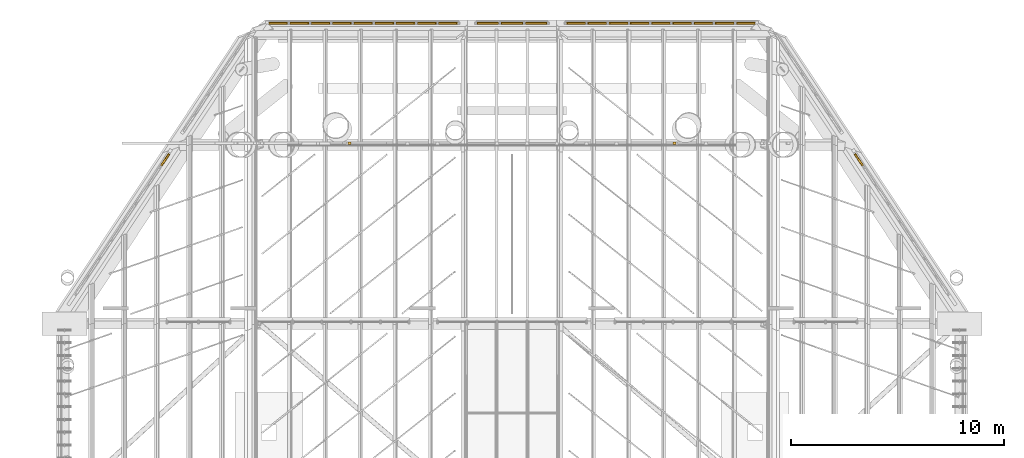
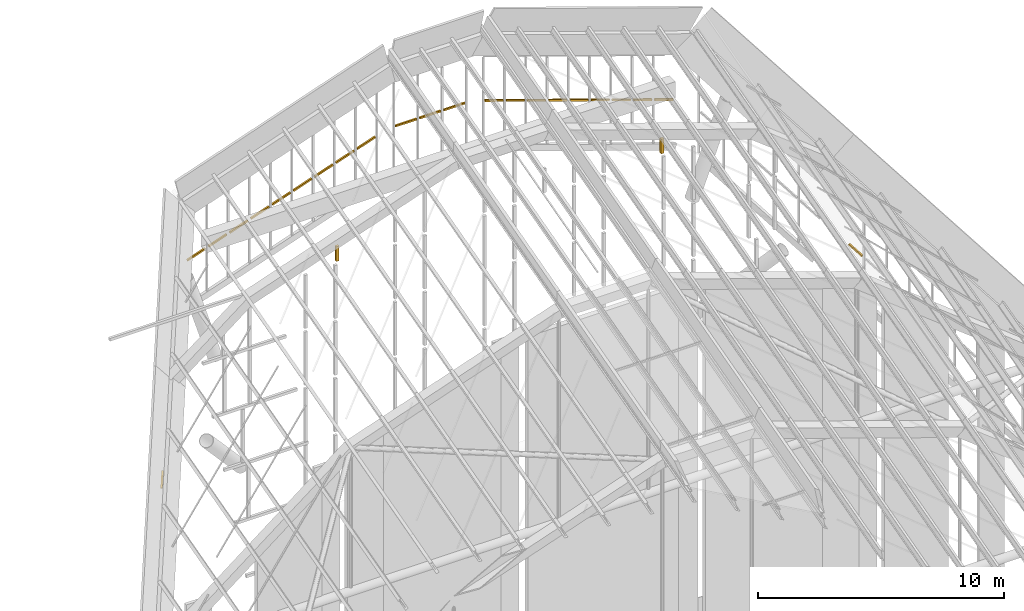
# One storey, part 123 of 126: 25 coverings.
"""IFC4 building model written with IfcOpenShell, lengths in metres."""

import ifcopenshell
import ifcopenshell.guid

model = None  # the IFC model being written
_history = None  # IfcOwnerHistory: only IFC2X3 demands one
_inside = {}  # id of a spatial element -> (the spatial element, [elements in it])
_under = {}  # id of a project, library or spatial element -> (it, [spatial elements below it])
_declared = {}  # id of a project -> (the project, [libraries it declares])
_typed = {}  # id of a type object -> (the type object, [elements of that type])
_made_of = {}  # id of a material, layer set ... -> (it, [elements and type objects made of it])


def new_model(schema):
    """Start an empty IFC model of exactly this schema.

    Asked for "IFC4X3", IfcOpenShell would pick the latest addendum, in which some entities
    have other attributes; the version numbers below select the first issue.
    IFC2X3 requires an IfcOwnerHistory on every rooted entity: one is made here for all.
    """
    global model, _history
    if schema == "IFC4X3":
        model = ifcopenshell.file(schema_version=(4, 3, 0, 0))
    else:
        model = ifcopenshell.file(schema=schema)
    _inside.clear()
    _under.clear()
    _declared.clear()
    _typed.clear()
    _made_of.clear()
    _history = None
    if model.schema == "IFC2X3":
        org = make("IfcOrganization", Name="unknown")
        user = make(
            "IfcPersonAndOrganization",
            ThePerson=make("IfcPerson", FamilyName="unknown"),
            TheOrganization=org,
        )
        app = make(
            "IfcApplication",
            ApplicationDeveloper=org,
            Version="unknown",
            ApplicationFullName="unknown",
            ApplicationIdentifier="unknown",
        )
        _history = make(
            "IfcOwnerHistory",
            OwningUser=user,
            OwningApplication=app,
            ChangeAction="ADDED",
            CreationDate=0,
        )
    return model


def make(cls, **values):
    """One entity of the class cls with the attributes given. An attribute that is None is left unset."""
    return model.create_entity(
        cls, **{name: value for name, value in values.items() if value is not None}
    )


def rooted(cls, **values):
    """An entity with a GlobalId (a new one), such as an element, a storey or a relation."""
    return make(cls, GlobalId=ifcopenshell.guid.new(), OwnerHistory=_history, **values)


def si_unit(unit_type, name, prefix=None):
    """IfcSIUnit, for example si_unit("LENGTHUNIT", "METRE", prefix="MILLI")."""
    return make("IfcSIUnit", UnitType=unit_type, Prefix=prefix, Name=name)


def assignment(units):
    """IfcUnitAssignment: the units of a project."""
    return None if units is None else make("IfcUnitAssignment", Units=units)


def point(xyz):
    """IfcCartesianPoint."""
    return None if xyz is None else make("IfcCartesianPoint", Coordinates=xyz)


def direction(xyz):
    """IfcDirection."""
    return None if xyz is None else make("IfcDirection", DirectionRatios=xyz)


def frame(location, z_axis=None, x_axis=None):
    """IfcAxis2Placement3D, a coordinate frame: its origin and axes. An axis left out is left unset."""
    return make(
        "IfcAxis2Placement3D",
        Location=point(location),
        Axis=direction(z_axis),
        RefDirection=direction(x_axis),
    )


def frame_2d(location, x_axis=None):
    """IfcAxis2Placement2D, a coordinate frame in the plane: its origin and x axis."""
    return make(
        "IfcAxis2Placement2D", Location=point(location), RefDirection=direction(x_axis)
    )


def origin():
    """The frame at (0, 0, 0) with its axes left unset."""
    return frame((0.0, 0.0, 0.0))


def origin_2d():
    """The frame at (0, 0) in the plane with its x axis left unset."""
    return frame_2d((0.0, 0.0))


def place(relative_to, where):
    """IfcLocalPlacement: puts the frame where relative to a parent placement (None: the world)."""
    return make(
        "IfcLocalPlacement", PlacementRelTo=relative_to, RelativePlacement=where
    )


def context(
    kind, dimensions, precision=None, world=None, true_north=None, identifier=None
):
    """IfcGeometricRepresentationContext, for example the 3D "Model" context."""
    return make(
        "IfcGeometricRepresentationContext",
        ContextIdentifier=identifier,
        ContextType=kind,
        CoordinateSpaceDimension=dimensions,
        Precision=precision,
        WorldCoordinateSystem=world,
        TrueNorth=true_north,
    )


def subcontext(parent, identifier, kind, view, scale=None):
    """IfcGeometricRepresentationSubContext, for example "Body" below "Model"."""
    return make(
        "IfcGeometricRepresentationSubContext",
        ContextIdentifier=identifier,
        ContextType=kind,
        ParentContext=parent,
        TargetScale=scale,
        TargetView=view,
    )


def project(units=None, contexts=None):
    """IfcProject with its units and contexts."""
    return rooted(
        "IfcProject",
        Name="project",
        RepresentationContexts=contexts,
        UnitsInContext=assignment(units),
    )


def spatial(cls, under=None, at=None, **own):
    """A site, building, storey or space (cls), placed at a placement, below another one or the project."""
    s = rooted(cls, ObjectPlacement=at, **own)
    if under is not None:
        _under.setdefault(under.id(), (under, []))[1].append(s)
    return s


def profile(cls, at=None, kind="AREA", **sizes):
    """A parametric profile (cls). Its sizes go by their IFC names, for example OverallWidth=200.0."""
    return make(cls, ProfileType=kind, Position=at, **sizes)


def rectangle(**sizes):
    """IfcRectangleProfileDef."""
    return profile("IfcRectangleProfileDef", **sizes)


def extrude(swept, where, along, depth):
    """IfcExtrudedAreaSolid: the profile swept, set in the frame where, extruded along a direction by depth."""
    return make(
        "IfcExtrudedAreaSolid",
        SweptArea=swept,
        Position=where,
        ExtrudedDirection=direction(along),
        Depth=depth,
    )


def shape(context_of_items, identifier, shape_type, items):
    """IfcShapeRepresentation: the items that make up one representation, for example the "Body"."""
    return make(
        "IfcShapeRepresentation",
        ContextOfItems=context_of_items,
        RepresentationIdentifier=identifier,
        RepresentationType=shape_type,
        Items=items,
    )


def material(Name=None, Category=None):
    """IfcMaterial."""
    return make("IfcMaterial", Name=Name, Category=Category)


def material_profile(
    of_material, cross_section, Name=None, Category=None, Priority=None
):
    """IfcMaterialProfile: a cross section and its material."""
    return make(
        "IfcMaterialProfile",
        Name=Name,
        Material=of_material,
        Profile=cross_section,
        Priority=Priority,
        Category=Category,
    )


def profile_set(profiles, Name=None, composite=None):
    """IfcMaterialProfileSet."""
    return make(
        "IfcMaterialProfileSet",
        Name=Name,
        MaterialProfiles=profiles,
        CompositeProfile=composite,
    )


def made_of(thing, what):
    """Note that an element or type object is made of a material, layer set ...; save() writes the relation."""
    if what is not None:
        _made_of.setdefault(what.id(), (what, []))[1].append(thing)
    return thing


def type_object(cls, material=None, **own):
    """A type object (cls), such as IfcWallType, which elements share."""
    return made_of(rooted(cls, **own), material)


def element(
    cls,
    number,
    at=None,
    inside=None,
    cuts=None,
    type_object=None,
    material=None,
    context=None,
    identifier="Body",
    shape_type=None,
    held_by="IfcProductDefinitionShape",
    body=None,
    shapes=None,
    **own,
):
    """One element of the class cls, such as IfcWall. Its Tag is "e" and its number.

    at: its placement. inside: the storey or other place that contains it. cuts: it is an
    opening in that element (IfcRelVoidsElement). A single representation is given by context,
    identifier, shape_type and body (its items); several are given by shapes. held_by: the class
    of the entity that holds the representations. save() writes the other relations.
    """
    e = rooted(cls, Tag="e%d" % number, ObjectPlacement=at, **own)
    if body is not None:
        shapes = [shape(context, identifier, shape_type, body)]
    if shapes is not None:
        e.Representation = make(held_by, Representations=shapes)
    if inside is not None:
        _inside.setdefault(inside.id(), (inside, []))[1].append(e)
    if cuts is not None:
        rooted(
            "IfcRelVoidsElement", RelatingBuildingElement=cuts, RelatedOpeningElement=e
        )
    if type_object is not None:
        _typed.setdefault(type_object.id(), (type_object, []))[1].append(e)
    return made_of(e, material)


def aggregate(whole, parts):
    """IfcRelAggregates: a whole, such as a stair, and the parts it consists of."""
    return rooted("IfcRelAggregates", RelatingObject=whole, RelatedObjects=parts)


def save(model, path):
    """Write the relations noted so far, then the file.

    IfcRelAggregates (storeys below a building ...), IfcRelContainedInSpatialStructure (elements
    in a storey), IfcRelDefinesByType, IfcRelAssociatesMaterial and IfcRelDeclares: one each for
    every whole, place, type object, material and project.
    """
    for whole, parts in _under.values():
        aggregate(whole, parts)
    for where, things in _inside.values():
        rooted(
            "IfcRelContainedInSpatialStructure",
            RelatedElements=things,
            RelatingStructure=where,
        )
    for kind, things in _typed.values():
        rooted("IfcRelDefinesByType", RelatedObjects=things, RelatingType=kind)
    for what, things in _made_of.values():
        rooted("IfcRelAssociatesMaterial", RelatedObjects=things, RelatingMaterial=what)
    for by, libraries in _declared.values():
        rooted("IfcRelDeclares", RelatingContext=by, RelatedDefinitions=libraries)
    model.write(path)


model = new_model("IFC4")

# Units and contexts
model_context = context("Model", 3, precision=1e-05, world=origin(), true_north=direction((0.0, 1.0)))
body_context = subcontext(model_context, "Body", "Model", "MODEL_VIEW")
ifc_project = project(units=[si_unit("LENGTHUNIT", "METRE"), si_unit("AREAUNIT", "SQUARE_METRE"), si_unit("VOLUMEUNIT", "CUBIC_METRE"), si_unit("PLANEANGLEUNIT", "RADIAN"), si_unit("MASSUNIT", "GRAM", prefix="KILO")], contexts=[model_context])

# Site, building, storey
site_placement = place(None, origin())
site = spatial("IfcSite", under=ifc_project, at=site_placement, CompositionType="ELEMENT")
building_placement = place(site_placement, origin())
building = spatial("IfcBuilding", under=site, at=building_placement, Name="Sava Quay Ferry Terminal", CompositionType="ELEMENT")
storey_placement = place(building_placement, frame((0.0, 0.0, 15.0)))
storey = spatial("IfcBuildingStorey", under=building, at=storey_placement, Name="L03", CompositionType="ELEMENT", Elevation=15.0)

# Coverings
ifc_material_1 = material(Name="Zinc standing seam sheet")
ifc_material_profile_1 = material_profile(ifc_material_1, rectangle(XDim=0.080078125, YDim=0.080078125, at=origin_2d()), Name="Strip 80 x 80")
ifc_profile_set_1 = profile_set([ifc_material_profile_1], Name="Zinc standing seam sheet")
covering_type_1 = type_object("IfcCoveringType", Name="Prow apron seam rib 80 x 80", PredefinedType="CLADDING", material=ifc_profile_set_1)
for number, where, z_axis, x_axis, name in (
    (1, (46.896484375, 108.753662109375, 18.240478515625), (-0.460782145609, -0.696242149042, -0.550387758026), (-0.303756219629, -0.458975863442, 0.834909166206), "Prow apron cross seam"),
    (2, (79.447509765625, 108.23388671875, 17.82958984375), (-0.460782145609, 0.696242149042, 0.550387758026), (0.303756219629, -0.458975863442, 0.834909166206), "Prow apron cross seam"),
):
    element("IfcCovering", number, at=place(storey_placement, frame(where, z_axis=z_axis, x_axis=x_axis)), inside=storey, type_object=covering_type_1, Name=name, PredefinedType="CLADDING", context=body_context, shape_type="SweptSolid", body=[
        extrude(rectangle(XDim=0.080078125, YDim=0.080078125, at=origin_2d()), origin(), (0.0, 0.0, 1.0), 0.74658203125),
    ])
covering_1_placement = place(storey_placement, frame((60.429931640625, 114.905029296875, 26.361328125), z_axis=(-0.945538945464, 0.0, -0.32550899006), x_axis=(-0.32550899006, 0.0, 0.945538945464)))
element("IfcCovering", 3, at=covering_1_placement, inside=storey, type_object=covering_type_1, Name="Prow apron cross seam", PredefinedType="CLADDING", context=body_context, shape_type="SweptSolid", body=[
    extrude(rectangle(XDim=0.080078125, YDim=0.080078125, at=origin_2d()), origin(), (0.0, 0.0, 1.0), 0.906005859375),
])
covering_2_placement = place(storey_placement, frame((59.43310546875, 114.905029296875, 26.018310546875), z_axis=(-0.945427385201, 0.0, -0.325832870213), x_axis=(-0.325832870213, 0.0, 0.945427385201)))
element("IfcCovering", 4, at=covering_2_placement, inside=storey, type_object=covering_type_1, Name="Prow apron cross seam", PredefinedType="CLADDING", context=body_context, shape_type="SweptSolid", body=[
    extrude(rectangle(XDim=0.080078125, YDim=0.080078125, at=origin_2d()), origin(), (0.0, 0.0, 1.0), 0.90576171875),
])
for number, where, z_axis, x_axis, name in (
    (5, (58.4365234375, 114.905029296875, 25.675048828125), (-0.945455986939, 0.0, -0.325749868398), (-0.325749868398, 0.0, 0.945455986939), "Prow apron cross seam"),
    (6, (57.43994140625, 114.905029296875, 25.331787109375), (-0.945538945464, 0.0, -0.32550899006), (-0.32550899006, 0.0, 0.945538945464), "Prow apron cross seam"),
):
    element("IfcCovering", number, at=place(storey_placement, frame(where, z_axis=z_axis, x_axis=x_axis)), inside=storey, type_object=covering_type_1, Name=name, PredefinedType="CLADDING", context=body_context, shape_type="SweptSolid", body=[
        extrude(rectangle(XDim=0.080078125, YDim=0.080078125, at=origin_2d()), origin(), (0.0, 0.0, 1.0), 0.906005859375),
    ])
covering_3_placement = place(storey_placement, frame((56.443115234375, 114.905029296875, 24.98876953125), z_axis=(-0.945427385201, 0.0, -0.325832870213), x_axis=(-0.325832870213, 0.0, 0.945427385201)))
element("IfcCovering", 7, at=covering_3_placement, inside=storey, type_object=covering_type_1, Name="Prow apron cross seam", PredefinedType="CLADDING", context=body_context, shape_type="SweptSolid", body=[
    extrude(rectangle(XDim=0.080078125, YDim=0.080078125, at=origin_2d()), origin(), (0.0, 0.0, 1.0), 0.90576171875),
])
for number, where, z_axis, x_axis, name in (
    (8, (55.446533203125, 114.905029296875, 24.6455078125), (-0.945538945464, 0.0, -0.32550899006), (-0.32550899006, 0.0, 0.945538945464), "Prow apron cross seam"),
    (9, (54.449951171875, 114.905029296875, 24.30224609375), (-0.945538945464, 0.0, -0.32550899006), (-0.32550899006, 0.0, 0.945538945464), "Prow apron cross seam"),
):
    element("IfcCovering", number, at=place(storey_placement, frame(where, z_axis=z_axis, x_axis=x_axis)), inside=storey, type_object=covering_type_1, Name=name, PredefinedType="CLADDING", context=body_context, shape_type="SweptSolid", body=[
        extrude(rectangle(XDim=0.080078125, YDim=0.080078125, at=origin_2d()), origin(), (0.0, 0.0, 1.0), 0.906005859375),
    ])
covering_4_placement = place(storey_placement, frame((53.453125, 114.905029296875, 23.959228515625), z_axis=(-0.945510383503, 0.0, -0.32559194506), x_axis=(-0.32559194506, 0.0, 0.945510383503)))
element("IfcCovering", 10, at=covering_4_placement, inside=storey, type_object=covering_type_1, Name="Prow apron cross seam", PredefinedType="CLADDING", context=body_context, shape_type="SweptSolid", body=[
    extrude(rectangle(XDim=0.080078125, YDim=0.080078125, at=origin_2d()), origin(), (0.0, 0.0, 1.0), 0.90576171875),
])
covering_5_placement = place(storey_placement, frame((52.45654296875, 114.905029296875, 23.615966796875), z_axis=(-0.945538945464, 0.0, -0.32550899006), x_axis=(-0.32550899006, 0.0, 0.945538945464)))
element("IfcCovering", 11, at=covering_5_placement, inside=storey, type_object=covering_type_1, Name="Prow apron cross seam", PredefinedType="CLADDING", context=body_context, shape_type="SweptSolid", body=[
    extrude(rectangle(XDim=0.080078125, YDim=0.080078125, at=origin_2d()), origin(), (0.0, 0.0, 1.0), 0.906005859375),
])
covering_6_placement = place(storey_placement, frame((64.630126953125, 114.905029296875, 26.56787109375), z_axis=(-1.0, 0.0, 0.0), x_axis=(0.0, 0.0, 1.0)))
element("IfcCovering", 12, at=covering_6_placement, inside=storey, type_object=covering_type_1, Name="Prow apron cross seam", PredefinedType="CLADDING", context=body_context, shape_type="SweptSolid", body=[
    extrude(rectangle(XDim=0.080078125, YDim=0.080078125, at=origin_2d()), origin(), (0.0, 0.0, 1.0), 0.993408203125),
])
covering_7_placement = place(storey_placement, frame((63.49658203125, 114.905029296875, 26.56787109375), z_axis=(-1.0, 0.0, 0.0), x_axis=(0.0, 0.0, 1.0)))
element("IfcCovering", 13, at=covering_7_placement, inside=storey, type_object=covering_type_1, Name="Prow apron cross seam", PredefinedType="CLADDING", context=body_context, shape_type="SweptSolid", body=[
    extrude(rectangle(XDim=0.080078125, YDim=0.080078125, at=origin_2d()), origin(), (0.0, 0.0, 1.0), 0.9931640625),
])
covering_8_placement = place(storey_placement, frame((62.36328125, 114.905029296875, 26.56787109375), z_axis=(-1.0, 0.0, 0.0), x_axis=(0.0, 0.0, 1.0)))
element("IfcCovering", 14, at=covering_8_placement, inside=storey, type_object=covering_type_1, Name="Prow apron cross seam", PredefinedType="CLADDING", context=body_context, shape_type="SweptSolid", body=[
    extrude(rectangle(XDim=0.080078125, YDim=0.080078125, at=origin_2d()), origin(), (0.0, 0.0, 1.0), 0.993408203125),
])
covering_9_placement = place(storey_placement, frame((74.400146484375, 114.905029296875, 23.321044921875), z_axis=(-0.945538945464, 0.0, 0.32550899006), x_axis=(0.32550899006, 0.0, 0.945538945464)))
element("IfcCovering", 15, at=covering_9_placement, inside=storey, type_object=covering_type_1, Name="Prow apron cross seam", PredefinedType="CLADDING", context=body_context, shape_type="SweptSolid", body=[
    extrude(rectangle(XDim=0.080078125, YDim=0.080078125, at=origin_2d()), origin(), (0.0, 0.0, 1.0), 0.906005859375),
])
covering_10_placement = place(storey_placement, frame((73.4033203125, 114.905029296875, 23.664306640625), z_axis=(-0.945510383503, 0.0, 0.32559194506), x_axis=(0.32559194506, 0.0, 0.945510383503)))
element("IfcCovering", 16, at=covering_10_placement, inside=storey, type_object=covering_type_1, Name="Prow apron cross seam", PredefinedType="CLADDING", context=body_context, shape_type="SweptSolid", body=[
    extrude(rectangle(XDim=0.080078125, YDim=0.080078125, at=origin_2d()), origin(), (0.0, 0.0, 1.0), 0.90576171875),
])
for number, where, z_axis, x_axis, name in (
    (17, (72.40673828125, 114.905029296875, 24.00732421875), (-0.945538945464, 0.0, 0.32550899006), (0.32550899006, 0.0, 0.945538945464), "Prow apron cross seam"),
    (18, (71.41015625, 114.905029296875, 24.3505859375), (-0.945538945464, 0.0, 0.32550899006), (0.32550899006, 0.0, 0.945538945464), "Prow apron cross seam"),
):
    element("IfcCovering", number, at=place(storey_placement, frame(where, z_axis=z_axis, x_axis=x_axis)), inside=storey, type_object=covering_type_1, Name=name, PredefinedType="CLADDING", context=body_context, shape_type="SweptSolid", body=[
        extrude(rectangle(XDim=0.080078125, YDim=0.080078125, at=origin_2d()), origin(), (0.0, 0.0, 1.0), 0.906005859375),
    ])
covering_11_placement = place(storey_placement, frame((70.413330078125, 114.905029296875, 24.693603515625), z_axis=(-0.945427385201, 0.0, 0.325832870213), x_axis=(0.325832870213, 0.0, 0.945427385201)))
element("IfcCovering", 19, at=covering_11_placement, inside=storey, type_object=covering_type_1, Name="Prow apron cross seam", PredefinedType="CLADDING", context=body_context, shape_type="SweptSolid", body=[
    extrude(rectangle(XDim=0.080078125, YDim=0.080078125, at=origin_2d()), origin(), (0.0, 0.0, 1.0), 0.90576171875),
])
for number, where, z_axis, x_axis, name in (
    (20, (69.416748046875, 114.905029296875, 25.036865234375), (-0.945538945464, 0.0, 0.32550899006), (0.32550899006, 0.0, 0.945538945464), "Prow apron cross seam"),
    (21, (68.420166015625, 114.905029296875, 25.3798828125), (-0.945455986939, 0.0, 0.325749868398), (0.325749868398, 0.0, 0.945455986939), "Prow apron cross seam"),
):
    element("IfcCovering", number, at=place(storey_placement, frame(where, z_axis=z_axis, x_axis=x_axis)), inside=storey, type_object=covering_type_1, Name=name, PredefinedType="CLADDING", context=body_context, shape_type="SweptSolid", body=[
        extrude(rectangle(XDim=0.080078125, YDim=0.080078125, at=origin_2d()), origin(), (0.0, 0.0, 1.0), 0.906005859375),
    ])
covering_12_placement = place(storey_placement, frame((67.42333984375, 114.905029296875, 25.72314453125), z_axis=(-0.945427385201, 0.0, 0.325832870213), x_axis=(0.325832870213, 0.0, 0.945427385201)))
element("IfcCovering", 22, at=covering_12_placement, inside=storey, type_object=covering_type_1, Name="Prow apron cross seam", PredefinedType="CLADDING", context=body_context, shape_type="SweptSolid", body=[
    extrude(rectangle(XDim=0.080078125, YDim=0.080078125, at=origin_2d()), origin(), (0.0, 0.0, 1.0), 0.90576171875),
])
covering_13_placement = place(storey_placement, frame((66.4267578125, 114.905029296875, 26.06640625), z_axis=(-0.945538945464, 0.0, 0.32550899006), x_axis=(0.32550899006, 0.0, 0.945538945464)))
element("IfcCovering", 23, at=covering_13_placement, inside=storey, type_object=covering_type_1, Name="Prow apron cross seam", PredefinedType="CLADDING", context=body_context, shape_type="SweptSolid", body=[
    extrude(rectangle(XDim=0.080078125, YDim=0.080078125, at=origin_2d()), origin(), (0.0, 0.0, 1.0), 0.906005859375),
])
ifc_material_2 = material(Name="Steel S355", Category="steel")
ifc_material_profile_2 = material_profile(ifc_material_2, rectangle(XDim=0.139892578125, YDim=0.1201171875, at=origin_2d()), Name="Strip 140 x 120")
ifc_profile_set_2 = profile_set([ifc_material_profile_2], Name="Steel S355")
covering_type_2 = type_object("IfcCoveringType", Name="Prow glazing bar 140 x 120", PredefinedType="CLADDING", material=ifc_profile_set_2)
for number, where, z_axis, x_axis, name in (
    (24, (55.37646484375, 109.260009765625, 25.4169921875), (0.0, 0.0, 1.0), (1.0, 0.0, 0.0), "Prow glazing bar"),
    (25, (70.62353515625, 109.260009765625, 25.4169921875), (0.0, 0.0, 1.0), (1.0, 0.0, 0.0), "Prow glazing bar"),
):
    element("IfcCovering", number, at=place(storey_placement, frame(where, z_axis=z_axis, x_axis=x_axis)), inside=storey, type_object=covering_type_2, Name=name, PredefinedType="CLADDING", context=body_context, shape_type="SweptSolid", body=[
        extrude(rectangle(XDim=0.139892578125, YDim=0.1201171875, at=origin_2d()), origin(), (0.0, 0.0, 1.0), 0.7314453125),
    ])

save(model, "model.ifc")
